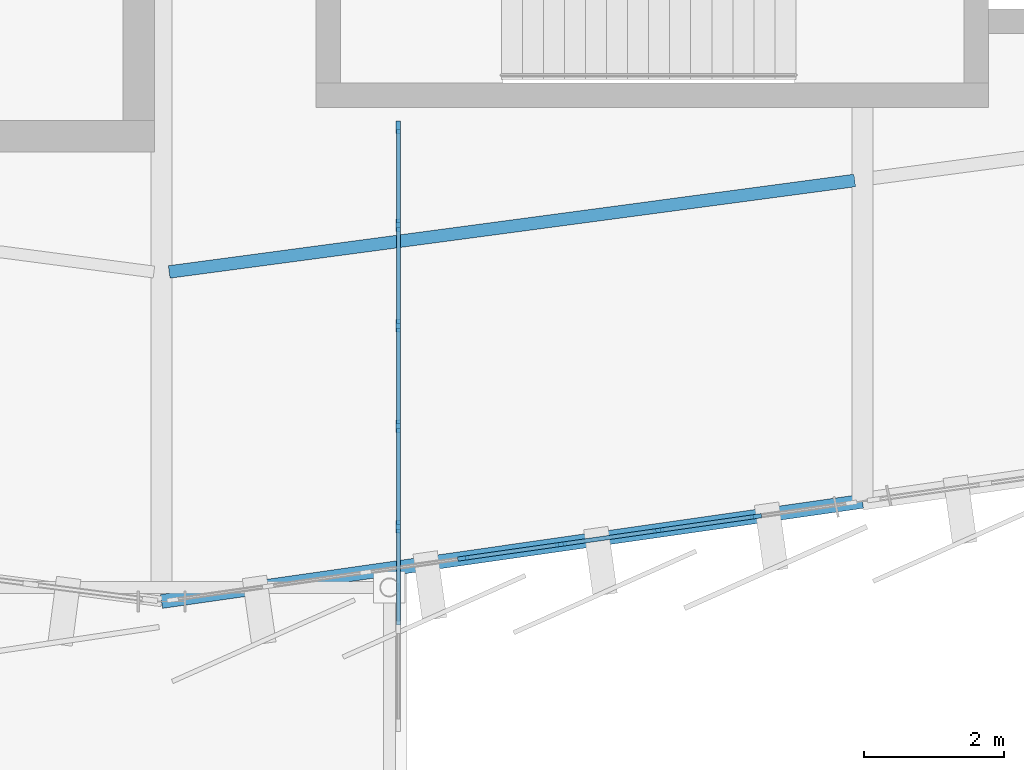
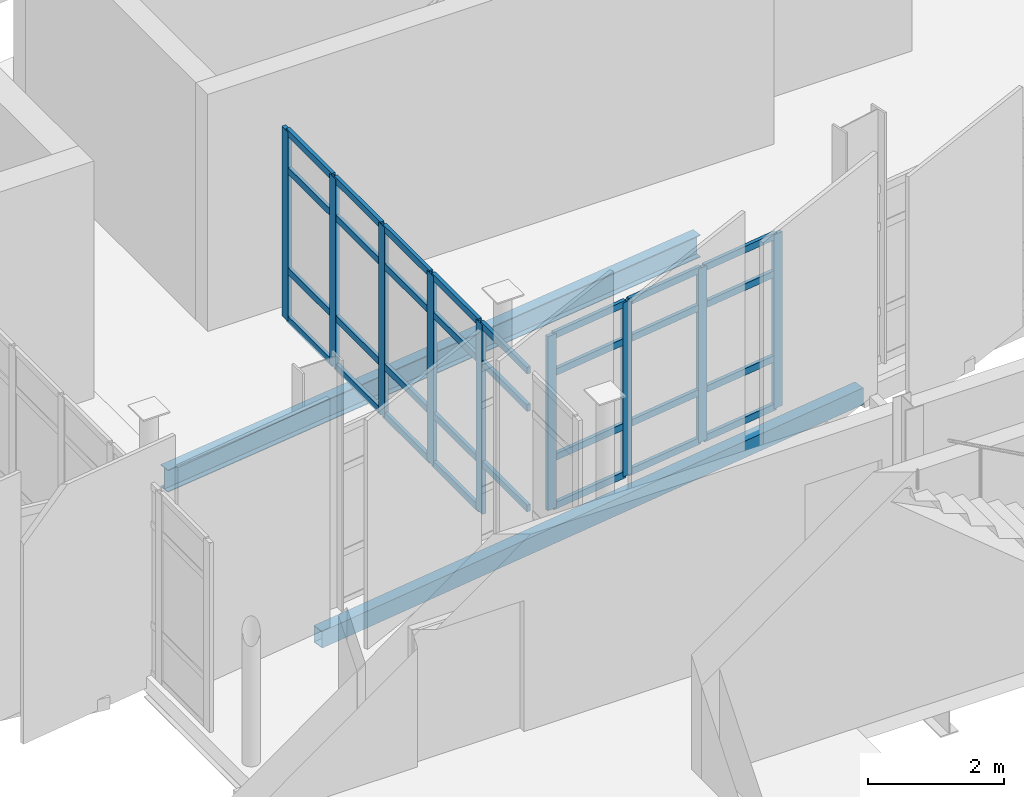
# One storey, part 35 of 134: 40 members, 2 beams, 2 elements without a shape of their own.
"""IFC4 building model written with IfcOpenShell, lengths in metres."""

from ifc_helpers import new_model, si_unit, direction, frame, origin, origin_2d, place, context, subcontext, project, spatial, rectangle, hollow_rectangle, i_section, extrude, material, layer, layer_set, material_profile, profile_set, type_object, element, aggregate, save


model = new_model("IFC4")

# Units and contexts
model_context = context("Model", 3, precision=1e-05, world=origin(), true_north=direction((0.0, 1.0)))
body_context = subcontext(model_context, "Body", "Model", "MODEL_VIEW")
ifc_project = project(units=[si_unit("LENGTHUNIT", "METRE"), si_unit("AREAUNIT", "SQUARE_METRE"), si_unit("VOLUMEUNIT", "CUBIC_METRE"), si_unit("PLANEANGLEUNIT", "RADIAN"), si_unit("MASSUNIT", "GRAM", prefix="KILO")], contexts=[model_context])

# Site, building, storey
site_placement = place(None, origin())
site = spatial("IfcSite", under=ifc_project, at=site_placement, CompositionType="ELEMENT")
building_placement = place(site_placement, origin())
building = spatial("IfcBuilding", under=site, at=building_placement, Name="Sohan Crest Arena", CompositionType="ELEMENT")
storey_placement = place(building_placement, frame((0.0, 0.0, 4.5)))
storey = spatial("IfcBuildingStorey", under=building, at=storey_placement, Name="L01", CompositionType="ELEMENT", Elevation=4.5)

# Curtain wall, members
ifc_material_1 = material(Name="Thermally broken anodised aluminium", Category="aluminium")
ifc_layer_1 = layer(ifc_material_1, 0.179931640625, Name="Thermally broken anodised aluminium")
ifc_layer_set_1 = layer_set([ifc_layer_1], Name="Thermally broken anodised aluminium")
curtain_wall_type_1 = type_object("IfcCurtainWallType", Name="ARC-CW01", PredefinedType="NOTDEFINED", material=ifc_layer_set_1)
curtain_wall_1_placement = place(storey_placement, origin())
curtain_wall_1 = element("IfcCurtainWall", 1, at=curtain_wall_1_placement, inside=storey, type_object=curtain_wall_type_1, Name="Unitised curtain wall CW-030", PredefinedType="NOTDEFINED")
ifc_material_profile_1 = material_profile(ifc_material_1, rectangle(XDim=0.06005859375, YDim=0.159912109375, at=origin_2d()), Name="ALU-MULL 60x160")
ifc_profile_set_1 = profile_set([ifc_material_profile_1], Name="Thermally broken anodised aluminium")
member_type_1 = type_object("IfcMemberType", Name="ARC-CW-ML01", PredefinedType="MULLION", material=ifc_profile_set_1)
member_1_placement = place(storey_placement, frame((102.30419921875, 30.614990234375, 0.0), z_axis=(0.0, 0.0, 1.0), x_axis=(-0.141549389674, 0.989931194722, 0.0)))
member_1 = element("IfcMember", 2, at=member_1_placement, type_object=member_type_1, Name="CW-030 mullion 4", PredefinedType="MULLION", context=body_context, shape_type="SweptSolid", body=[
    extrude(rectangle(XDim=0.06005859375, YDim=0.159912109375, at=origin_2d()), origin(), (0.0, 0.0, 1.0), 3.1201171875),
])
member_2_placement = place(storey_placement, frame((103.69580078125, 30.81396484375, 0.0), z_axis=(0.0, 0.0, 1.0), x_axis=(-0.141549389674, 0.989931194722, 0.0)))
member_2 = element("IfcMember", 3, at=member_2_placement, type_object=member_type_1, Name="CW-030 mullion 5", PredefinedType="MULLION", context=body_context, shape_type="SweptSolid", body=[
    extrude(rectangle(XDim=0.06005859375, YDim=0.159912109375, at=origin_2d()), origin(), (0.0, 0.0, 1.0), 3.1201171875),
])
member_3_placement = place(storey_placement, frame((105.087646484375, 31.012939453125, 0.0), z_axis=(0.0, 0.0, 1.0), x_axis=(-0.141549389674, 0.989931194722, 0.0)))
member_3 = element("IfcMember", 4, at=member_3_placement, type_object=member_type_1, Name="CW-030 mullion 6", PredefinedType="MULLION", context=body_context, shape_type="SweptSolid", body=[
    extrude(rectangle(XDim=0.06005859375, YDim=0.159912109375, at=origin_2d()), origin(), (0.0, 0.0, 1.0), 3.1201171875),
])
member_4_placement = place(storey_placement, frame((106.479248046875, 31.2119140625, 0.0), z_axis=(0.0, 0.0, 1.0), x_axis=(-0.141549389674, 0.989931194722, 0.0)))
member_4 = element("IfcMember", 5, at=member_4_placement, type_object=member_type_1, Name="CW-030 mullion 7", PredefinedType="MULLION", context=body_context, shape_type="SweptSolid", body=[
    extrude(rectangle(XDim=0.06005859375, YDim=0.159912109375, at=origin_2d()), origin(), (0.0, 0.0, 1.0), 3.1201171875),
])

ifc_layer_2 = layer(ifc_material_1, 0.18994140625, Name="Thermally broken anodised aluminium")
ifc_layer_set_2 = layer_set([ifc_layer_2], Name="Thermally broken anodised aluminium")
curtain_wall_type_2 = type_object("IfcCurtainWallType", Name="ARC-CW05", PredefinedType="NOTDEFINED", material=ifc_layer_set_2)
curtain_wall_2_placement = place(storey_placement, origin())
curtain_wall_2 = element("IfcCurtainWall", 6, at=curtain_wall_2_placement, inside=storey, type_object=curtain_wall_type_2, Name="Unitised curtain wall CW-250", PredefinedType="NOTDEFINED")
ifc_material_profile_2 = material_profile(ifc_material_1, rectangle(XDim=0.06494140625, YDim=0.179931640625, at=origin_2d()), Name="ALU-MULL 65x180")
ifc_profile_set_2 = profile_set([ifc_material_profile_2], Name="Thermally broken anodised aluminium")
member_type_2 = type_object("IfcMemberType", Name="ARC-CW-ML02", PredefinedType="MULLION", material=ifc_profile_set_2)
member_5_placement = place(storey_placement, frame((101.3798828125, 31.066650390625, 0.0), z_axis=(0.0, 0.0, 1.0), x_axis=(-1.0, 0.0, 0.0)))
member_5 = element("IfcMember", 7, at=member_5_placement, type_object=member_type_2, Name="CW-250 mullion 3", PredefinedType="MULLION", context=body_context, shape_type="SweptSolid", body=[
    extrude(rectangle(XDim=0.06494140625, YDim=0.179931640625, at=origin_2d()), origin(), (0.0, 0.0, 1.0), 3.39990234375),
])
member_6_placement = place(storey_placement, frame((101.3798828125, 32.5, 0.0), z_axis=(0.0, 0.0, 1.0), x_axis=(-1.0, 0.0, 0.0)))
member_6 = element("IfcMember", 8, at=member_6_placement, type_object=member_type_2, Name="CW-250 mullion 4", PredefinedType="MULLION", context=body_context, shape_type="SweptSolid", body=[
    extrude(rectangle(XDim=0.06494140625, YDim=0.179931640625, at=origin_2d()), origin(), (0.0, 0.0, 1.0), 3.39990234375),
])
member_7_placement = place(storey_placement, frame((101.3798828125, 33.933349609375, 0.0), z_axis=(0.0, 0.0, 1.0), x_axis=(-1.0, 0.0, 0.0)))
member_7 = element("IfcMember", 9, at=member_7_placement, type_object=member_type_2, Name="CW-250 mullion 5", PredefinedType="MULLION", context=body_context, shape_type="SweptSolid", body=[
    extrude(rectangle(XDim=0.06494140625, YDim=0.179931640625, at=origin_2d()), origin(), (0.0, 0.0, 1.0), 3.39990234375),
])
member_8_placement = place(storey_placement, frame((101.3798828125, 35.36669921875, 0.0), z_axis=(0.0, 0.0, 1.0), x_axis=(-1.0, 0.0, 0.0)))
member_8 = element("IfcMember", 10, at=member_8_placement, type_object=member_type_2, Name="CW-250 mullion 6", PredefinedType="MULLION", context=body_context, shape_type="SweptSolid", body=[
    extrude(rectangle(XDim=0.06494140625, YDim=0.179931640625, at=origin_2d()), origin(), (0.0, 0.0, 1.0), 3.39990234375),
])
member_9_placement = place(storey_placement, frame((101.3798828125, 36.767578125, 0.0), z_axis=(0.0, 0.0, 1.0), x_axis=(-1.0, 0.0, 0.0)))
member_9 = element("IfcMember", 11, at=member_9_placement, type_object=member_type_2, Name="CW-250 mullion 7", PredefinedType="MULLION", context=body_context, shape_type="SweptSolid", body=[
    extrude(rectangle(XDim=0.06494140625, YDim=0.179931640625, at=origin_2d()), origin(), (0.0, 0.0, 1.0), 3.39990234375),
])

# Member
ifc_material_profile_3 = material_profile(ifc_material_1, rectangle(XDim=0.06005859375, YDim=0.1201171875, at=origin_2d()), Name="ALU-TRAN 60x120")
ifc_profile_set_3 = profile_set([ifc_material_profile_3], Name="Thermally broken anodised aluminium")
member_type_3 = type_object("IfcMemberType", Name="ARC-CW-TR01", PredefinedType="USERDEFINED", material=ifc_profile_set_3)
member_10_placement = place(storey_placement, frame((102.333740234375, 30.619140625, 0.030029296875), z_axis=(0.989916820705, 0.141649878522, 0.0), x_axis=(-0.141649878522, 0.989916820705, 0.0)))
member_10 = element("IfcMember", 12, at=member_10_placement, type_object=member_type_3, Name="CW-030 transom 4.1", ObjectType="TRANSOM", PredefinedType="USERDEFINED", context=body_context, shape_type="SweptSolid", body=[
    extrude(rectangle(XDim=0.06005859375, YDim=0.1201171875, at=origin_2d()), origin(), (0.0, 0.0, 1.0), 1.34619140625),
])

member_11_placement = place(storey_placement, frame((102.333740234375, 30.619140625, 0.89990234375), z_axis=(0.989916820705, 0.141649878522, 0.0), x_axis=(-0.141649878522, 0.989916820705, 0.0)))
member_11 = element("IfcMember", 13, at=member_11_placement, type_object=member_type_3, Name="CW-030 transom 4.2", ObjectType="TRANSOM", PredefinedType="USERDEFINED", context=body_context, shape_type="SweptSolid", body=[
    extrude(rectangle(XDim=0.06005859375, YDim=0.1201171875, at=origin_2d()), origin(), (0.0, 0.0, 1.0), 1.34619140625),
])

member_12_placement = place(storey_placement, frame((102.333740234375, 30.619140625, 2.419921875), z_axis=(0.989916820705, 0.141649878522, 0.0), x_axis=(-0.141649878522, 0.989916820705, 0.0)))
member_12 = element("IfcMember", 14, at=member_12_placement, type_object=member_type_3, Name="CW-030 transom 4.3", ObjectType="TRANSOM", PredefinedType="USERDEFINED", context=body_context, shape_type="SweptSolid", body=[
    extrude(rectangle(XDim=0.06005859375, YDim=0.1201171875, at=origin_2d()), origin(), (0.0, 0.0, 1.0), 1.34619140625),
])

member_13_placement = place(storey_placement, frame((102.333740234375, 30.619140625, 3.090087890625), z_axis=(0.989916820705, 0.141649878522, 0.0), x_axis=(-0.141649878522, 0.989916820705, 0.0)))
member_13 = element("IfcMember", 15, at=member_13_placement, type_object=member_type_3, Name="CW-030 transom 4.4", ObjectType="TRANSOM", PredefinedType="USERDEFINED", context=body_context, shape_type="SweptSolid", body=[
    extrude(rectangle(XDim=0.06005859375, YDim=0.1201171875, at=origin_2d()), origin(), (0.0, 0.0, 1.0), 1.34619140625),
])

member_14_placement = place(storey_placement, frame((103.7255859375, 30.818359375, 0.030029296875), z_axis=(0.989938606302, 0.141497546805, 0.0), x_axis=(-0.141497546805, 0.989938606302, 0.0)))
member_14 = element("IfcMember", 16, at=member_14_placement, type_object=member_type_3, Name="CW-030 transom 5.1", ObjectType="TRANSOM", PredefinedType="USERDEFINED", context=body_context, shape_type="SweptSolid", body=[
    extrude(rectangle(XDim=0.06005859375, YDim=0.1201171875, at=origin_2d()), origin(), (0.0, 0.0, 1.0), 1.345703125),
])

member_15_placement = place(storey_placement, frame((103.7255859375, 30.818359375, 0.89990234375), z_axis=(0.989938606302, 0.141497546805, 0.0), x_axis=(-0.141497546805, 0.989938606302, 0.0)))
member_15 = element("IfcMember", 17, at=member_15_placement, type_object=member_type_3, Name="CW-030 transom 5.2", ObjectType="TRANSOM", PredefinedType="USERDEFINED", context=body_context, shape_type="SweptSolid", body=[
    extrude(rectangle(XDim=0.06005859375, YDim=0.1201171875, at=origin_2d()), origin(), (0.0, 0.0, 1.0), 1.345703125),
])

member_16_placement = place(storey_placement, frame((103.7255859375, 30.818359375, 2.419921875), z_axis=(0.989938606302, 0.141497546805, 0.0), x_axis=(-0.141497546805, 0.989938606302, 0.0)))
member_16 = element("IfcMember", 18, at=member_16_placement, type_object=member_type_3, Name="CW-030 transom 5.3", ObjectType="TRANSOM", PredefinedType="USERDEFINED", context=body_context, shape_type="SweptSolid", body=[
    extrude(rectangle(XDim=0.06005859375, YDim=0.1201171875, at=origin_2d()), origin(), (0.0, 0.0, 1.0), 1.345703125),
])

member_17_placement = place(storey_placement, frame((103.7255859375, 30.818359375, 3.090087890625), z_axis=(0.989938606302, 0.141497546805, 0.0), x_axis=(-0.141497546805, 0.989938606302, 0.0)))
member_17 = element("IfcMember", 19, at=member_17_placement, type_object=member_type_3, Name="CW-030 transom 5.4", ObjectType="TRANSOM", PredefinedType="USERDEFINED", context=body_context, shape_type="SweptSolid", body=[
    extrude(rectangle(XDim=0.06005859375, YDim=0.1201171875, at=origin_2d()), origin(), (0.0, 0.0, 1.0), 1.345703125),
])

member_18_placement = place(storey_placement, frame((105.1171875, 31.017333984375, 0.030029296875), z_axis=(0.989942237377, 0.141472140922, 0.0), x_axis=(-0.141472140922, 0.989942237377, 0.0)))
member_18 = element("IfcMember", 20, at=member_18_placement, type_object=member_type_3, Name="CW-030 transom 6.1", ObjectType="TRANSOM", PredefinedType="USERDEFINED", context=body_context, shape_type="SweptSolid", body=[
    extrude(rectangle(XDim=0.06005859375, YDim=0.1201171875, at=origin_2d()), origin(), (0.0, 0.0, 1.0), 1.345947265625),
])

member_19_placement = place(storey_placement, frame((105.1171875, 31.017333984375, 0.89990234375), z_axis=(0.989942237377, 0.141472140922, 0.0), x_axis=(-0.141472140922, 0.989942237377, 0.0)))
member_19 = element("IfcMember", 21, at=member_19_placement, type_object=member_type_3, Name="CW-030 transom 6.2", ObjectType="TRANSOM", PredefinedType="USERDEFINED", context=body_context, shape_type="SweptSolid", body=[
    extrude(rectangle(XDim=0.06005859375, YDim=0.1201171875, at=origin_2d()), origin(), (0.0, 0.0, 1.0), 1.345947265625),
])

member_20_placement = place(storey_placement, frame((105.1171875, 31.017333984375, 2.419921875), z_axis=(0.989942237377, 0.141472140922, 0.0), x_axis=(-0.141472140922, 0.989942237377, 0.0)))
member_20 = element("IfcMember", 22, at=member_20_placement, type_object=member_type_3, Name="CW-030 transom 6.3", ObjectType="TRANSOM", PredefinedType="USERDEFINED", context=body_context, shape_type="SweptSolid", body=[
    extrude(rectangle(XDim=0.06005859375, YDim=0.1201171875, at=origin_2d()), origin(), (0.0, 0.0, 1.0), 1.345947265625),
])

member_21_placement = place(storey_placement, frame((105.1171875, 31.017333984375, 3.090087890625), z_axis=(0.989942237377, 0.141472140922, 0.0), x_axis=(-0.141472140922, 0.989942237377, 0.0)))
member_21 = element("IfcMember", 23, at=member_21_placement, type_object=member_type_3, Name="CW-030 transom 6.4", ObjectType="TRANSOM", PredefinedType="USERDEFINED", context=body_context, shape_type="SweptSolid", body=[
    extrude(rectangle(XDim=0.06005859375, YDim=0.1201171875, at=origin_2d()), origin(), (0.0, 0.0, 1.0), 1.345947265625),
])

aggregate(curtain_wall_1, [member_1, member_2, member_3, member_4, member_10, member_11, member_12, member_13, member_14, member_15, member_16, member_17, member_18, member_19, member_20, member_21])

member_22_placement = place(storey_placement, frame((101.3798828125, 29.665771484375, 0.89990234375), z_axis=(0.0, 1.0, 0.0), x_axis=(-1.0, 0.0, 0.0)))
member_22 = element("IfcMember", 24, at=member_22_placement, type_object=member_type_3, Name="CW-250 transom 2.2", ObjectType="TRANSOM", PredefinedType="USERDEFINED", context=body_context, shape_type="SweptSolid", body=[
    extrude(rectangle(XDim=0.06005859375, YDim=0.1201171875, at=origin_2d()), origin(), (0.0, 0.0, 1.0), 1.368408203125),
])

member_23_placement = place(storey_placement, frame((101.3798828125, 29.665771484375, 2.699951171875), z_axis=(0.0, 1.0, 0.0), x_axis=(-1.0, 0.0, 0.0)))
member_23 = element("IfcMember", 25, at=member_23_placement, type_object=member_type_3, Name="CW-250 transom 2.3", ObjectType="TRANSOM", PredefinedType="USERDEFINED", context=body_context, shape_type="SweptSolid", body=[
    extrude(rectangle(XDim=0.06005859375, YDim=0.1201171875, at=origin_2d()), origin(), (0.0, 0.0, 1.0), 1.368408203125),
])

member_24_placement = place(storey_placement, frame((101.3798828125, 29.665771484375, 3.3701171875), z_axis=(0.0, 1.0, 0.0), x_axis=(-1.0, 0.0, 0.0)))
member_24 = element("IfcMember", 26, at=member_24_placement, type_object=member_type_3, Name="CW-250 transom 2.4", ObjectType="TRANSOM", PredefinedType="USERDEFINED", context=body_context, shape_type="SweptSolid", body=[
    extrude(rectangle(XDim=0.06005859375, YDim=0.1201171875, at=origin_2d()), origin(), (0.0, 0.0, 1.0), 1.368408203125),
])

member_25_placement = place(storey_placement, frame((101.3798828125, 31.09912109375, 0.030029296875), z_axis=(0.0, 1.0, 0.0), x_axis=(-1.0, 0.0, 0.0)))
member_25 = element("IfcMember", 27, at=member_25_placement, type_object=member_type_3, Name="CW-250 transom 3.1", ObjectType="TRANSOM", PredefinedType="USERDEFINED", context=body_context, shape_type="SweptSolid", body=[
    extrude(rectangle(XDim=0.06005859375, YDim=0.1201171875, at=origin_2d()), origin(), (0.0, 0.0, 1.0), 1.368408203125),
])

member_26_placement = place(storey_placement, frame((101.3798828125, 31.09912109375, 0.89990234375), z_axis=(0.0, 1.0, 0.0), x_axis=(-1.0, 0.0, 0.0)))
member_26 = element("IfcMember", 28, at=member_26_placement, type_object=member_type_3, Name="CW-250 transom 3.2", ObjectType="TRANSOM", PredefinedType="USERDEFINED", context=body_context, shape_type="SweptSolid", body=[
    extrude(rectangle(XDim=0.06005859375, YDim=0.1201171875, at=origin_2d()), origin(), (0.0, 0.0, 1.0), 1.368408203125),
])

member_27_placement = place(storey_placement, frame((101.3798828125, 31.09912109375, 2.699951171875), z_axis=(0.0, 1.0, 0.0), x_axis=(-1.0, 0.0, 0.0)))
member_27 = element("IfcMember", 29, at=member_27_placement, type_object=member_type_3, Name="CW-250 transom 3.3", ObjectType="TRANSOM", PredefinedType="USERDEFINED", context=body_context, shape_type="SweptSolid", body=[
    extrude(rectangle(XDim=0.06005859375, YDim=0.1201171875, at=origin_2d()), origin(), (0.0, 0.0, 1.0), 1.368408203125),
])

member_28_placement = place(storey_placement, frame((101.3798828125, 31.09912109375, 3.3701171875), z_axis=(0.0, 1.0, 0.0), x_axis=(-1.0, 0.0, 0.0)))
member_28 = element("IfcMember", 30, at=member_28_placement, type_object=member_type_3, Name="CW-250 transom 3.4", ObjectType="TRANSOM", PredefinedType="USERDEFINED", context=body_context, shape_type="SweptSolid", body=[
    extrude(rectangle(XDim=0.06005859375, YDim=0.1201171875, at=origin_2d()), origin(), (0.0, 0.0, 1.0), 1.368408203125),
])

member_29_placement = place(storey_placement, frame((101.3798828125, 32.532470703125, 0.030029296875), z_axis=(0.0, 1.0, 0.0), x_axis=(-1.0, 0.0, 0.0)))
member_29 = element("IfcMember", 31, at=member_29_placement, type_object=member_type_3, Name="CW-250 transom 4.1", ObjectType="TRANSOM", PredefinedType="USERDEFINED", context=body_context, shape_type="SweptSolid", body=[
    extrude(rectangle(XDim=0.06005859375, YDim=0.1201171875, at=origin_2d()), origin(), (0.0, 0.0, 1.0), 1.368408203125),
])

member_30_placement = place(storey_placement, frame((101.3798828125, 32.532470703125, 0.89990234375), z_axis=(0.0, 1.0, 0.0), x_axis=(-1.0, 0.0, 0.0)))
member_30 = element("IfcMember", 32, at=member_30_placement, type_object=member_type_3, Name="CW-250 transom 4.2", ObjectType="TRANSOM", PredefinedType="USERDEFINED", context=body_context, shape_type="SweptSolid", body=[
    extrude(rectangle(XDim=0.06005859375, YDim=0.1201171875, at=origin_2d()), origin(), (0.0, 0.0, 1.0), 1.368408203125),
])

member_31_placement = place(storey_placement, frame((101.3798828125, 32.532470703125, 2.699951171875), z_axis=(0.0, 1.0, 0.0), x_axis=(-1.0, 0.0, 0.0)))
member_31 = element("IfcMember", 33, at=member_31_placement, type_object=member_type_3, Name="CW-250 transom 4.3", ObjectType="TRANSOM", PredefinedType="USERDEFINED", context=body_context, shape_type="SweptSolid", body=[
    extrude(rectangle(XDim=0.06005859375, YDim=0.1201171875, at=origin_2d()), origin(), (0.0, 0.0, 1.0), 1.368408203125),
])

member_32_placement = place(storey_placement, frame((101.3798828125, 32.532470703125, 3.3701171875), z_axis=(0.0, 1.0, 0.0), x_axis=(-1.0, 0.0, 0.0)))
member_32 = element("IfcMember", 34, at=member_32_placement, type_object=member_type_3, Name="CW-250 transom 4.4", ObjectType="TRANSOM", PredefinedType="USERDEFINED", context=body_context, shape_type="SweptSolid", body=[
    extrude(rectangle(XDim=0.06005859375, YDim=0.1201171875, at=origin_2d()), origin(), (0.0, 0.0, 1.0), 1.368408203125),
])

member_33_placement = place(storey_placement, frame((101.3798828125, 33.9658203125, 0.030029296875), z_axis=(0.0, 1.0, 0.0), x_axis=(-1.0, 0.0, 0.0)))
member_33 = element("IfcMember", 35, at=member_33_placement, type_object=member_type_3, Name="CW-250 transom 5.1", ObjectType="TRANSOM", PredefinedType="USERDEFINED", context=body_context, shape_type="SweptSolid", body=[
    extrude(rectangle(XDim=0.06005859375, YDim=0.1201171875, at=origin_2d()), origin(), (0.0, 0.0, 1.0), 1.368408203125),
])

member_34_placement = place(storey_placement, frame((101.3798828125, 33.9658203125, 0.89990234375), z_axis=(0.0, 1.0, 0.0), x_axis=(-1.0, 0.0, 0.0)))
member_34 = element("IfcMember", 36, at=member_34_placement, type_object=member_type_3, Name="CW-250 transom 5.2", ObjectType="TRANSOM", PredefinedType="USERDEFINED", context=body_context, shape_type="SweptSolid", body=[
    extrude(rectangle(XDim=0.06005859375, YDim=0.1201171875, at=origin_2d()), origin(), (0.0, 0.0, 1.0), 1.368408203125),
])

member_35_placement = place(storey_placement, frame((101.3798828125, 33.9658203125, 2.699951171875), z_axis=(0.0, 1.0, 0.0), x_axis=(-1.0, 0.0, 0.0)))
member_35 = element("IfcMember", 37, at=member_35_placement, type_object=member_type_3, Name="CW-250 transom 5.3", ObjectType="TRANSOM", PredefinedType="USERDEFINED", context=body_context, shape_type="SweptSolid", body=[
    extrude(rectangle(XDim=0.06005859375, YDim=0.1201171875, at=origin_2d()), origin(), (0.0, 0.0, 1.0), 1.368408203125),
])

member_36_placement = place(storey_placement, frame((101.3798828125, 33.9658203125, 3.3701171875), z_axis=(0.0, 1.0, 0.0), x_axis=(-1.0, 0.0, 0.0)))
member_36 = element("IfcMember", 38, at=member_36_placement, type_object=member_type_3, Name="CW-250 transom 5.4", ObjectType="TRANSOM", PredefinedType="USERDEFINED", context=body_context, shape_type="SweptSolid", body=[
    extrude(rectangle(XDim=0.06005859375, YDim=0.1201171875, at=origin_2d()), origin(), (0.0, 0.0, 1.0), 1.368408203125),
])

member_37_placement = place(storey_placement, frame((101.3798828125, 35.399169921875, 0.030029296875), z_axis=(0.0, 1.0, 0.0), x_axis=(-1.0, 0.0, 0.0)))
member_37 = element("IfcMember", 39, at=member_37_placement, type_object=member_type_3, Name="CW-250 transom 6.1", ObjectType="TRANSOM", PredefinedType="USERDEFINED", context=body_context, shape_type="SweptSolid", body=[
    extrude(rectangle(XDim=0.06005859375, YDim=0.1201171875, at=origin_2d()), origin(), (0.0, 0.0, 1.0), 1.3359375),
])

member_38_placement = place(storey_placement, frame((101.3798828125, 35.399169921875, 0.89990234375), z_axis=(0.0, 1.0, 0.0), x_axis=(-1.0, 0.0, 0.0)))
member_38 = element("IfcMember", 40, at=member_38_placement, type_object=member_type_3, Name="CW-250 transom 6.2", ObjectType="TRANSOM", PredefinedType="USERDEFINED", context=body_context, shape_type="SweptSolid", body=[
    extrude(rectangle(XDim=0.06005859375, YDim=0.1201171875, at=origin_2d()), origin(), (0.0, 0.0, 1.0), 1.3359375),
])

member_39_placement = place(storey_placement, frame((101.3798828125, 35.399169921875, 2.699951171875), z_axis=(0.0, 1.0, 0.0), x_axis=(-1.0, 0.0, 0.0)))
member_39 = element("IfcMember", 41, at=member_39_placement, type_object=member_type_3, Name="CW-250 transom 6.3", ObjectType="TRANSOM", PredefinedType="USERDEFINED", context=body_context, shape_type="SweptSolid", body=[
    extrude(rectangle(XDim=0.06005859375, YDim=0.1201171875, at=origin_2d()), origin(), (0.0, 0.0, 1.0), 1.3359375),
])

member_40_placement = place(storey_placement, frame((101.3798828125, 35.399169921875, 3.3701171875), z_axis=(0.0, 1.0, 0.0), x_axis=(-1.0, 0.0, 0.0)))
member_40 = element("IfcMember", 42, at=member_40_placement, type_object=member_type_3, Name="CW-250 transom 6.4", ObjectType="TRANSOM", PredefinedType="USERDEFINED", context=body_context, shape_type="SweptSolid", body=[
    extrude(rectangle(XDim=0.06005859375, YDim=0.1201171875, at=origin_2d()), origin(), (0.0, 0.0, 1.0), 1.3359375),
])

aggregate(curtain_wall_2, [member_5, member_6, member_7, member_8, member_9, member_22, member_23, member_24, member_25, member_26, member_27, member_28, member_29, member_30, member_31, member_32, member_33, member_34, member_35, member_36, member_37, member_38, member_39, member_40])

# Beams
ifc_material_2 = material(Name="Steel S355", Category="steel")
ifc_material_profile_4 = material_profile(ifc_material_2, i_section(OverallWidth=0.179931640625, OverallDepth=0.39990234375, WebThickness=0.008544921875, FlangeThickness=0.013427734375, at=origin_2d()), Name="IPE 400")
ifc_profile_set_4 = profile_set([ifc_material_profile_4], Name="Steel S355")
beam_type_1 = type_object("IfcBeamType", Name="STR-BM-B03", PredefinedType="JOIST", material=ifc_profile_set_4)
beam_1_placement = place(storey_placement, frame((98.10888671875, 34.700927734375, -0.47509765625), z_axis=(0.991216229825, 0.132251222039, 0.0), x_axis=(-0.132251222039, 0.991216229825, 0.0)))
element("IfcBeam", 43, at=beam_1_placement, inside=storey, type_object=beam_type_1, Name="Structural beam J-L01-1142", PredefinedType="JOIST", context=body_context, shape_type="SweptSolid", body=[
    extrude(i_section(OverallWidth=0.179931640625, OverallDepth=0.39990234375, WebThickness=0.008544921875, FlangeThickness=0.013427734375, at=origin_2d()), origin(), (0.0, 0.0, 1.0), 9.868896484375),
])
ifc_material_profile_5 = material_profile(ifc_material_2, hollow_rectangle(XDim=0.199951171875, YDim=0.300048828125, WallThickness=0.010009765625, at=origin_2d()), Name="RHS 300x200x10")
ifc_profile_set_5 = profile_set([ifc_material_profile_5], Name="Steel S355")
beam_type_2 = type_object("IfcBeamType", Name="STR-BM-SP03", PredefinedType="SPANDREL", material=ifc_profile_set_5)
beam_2_placement = place(storey_placement, frame((98.0, 30.0, -0.425048828125), z_axis=(0.989944175879, 0.141458575718, 0.0), x_axis=(-0.141458575718, 0.989944175879, 0.0)))
element("IfcBeam", 44, at=beam_2_placement, inside=storey, type_object=beam_type_2, Name="Structural beam SP-L01-1141", PredefinedType="SPANDREL", context=body_context, shape_type="SweptSolid", body=[
    extrude(hollow_rectangle(XDim=0.199951171875, YDim=0.300048828125, WallThickness=0.010009765625, at=origin_2d()), origin(), (0.0, 0.0, 1.0), 10.1015625),
])

save(model, "model.ifc")
